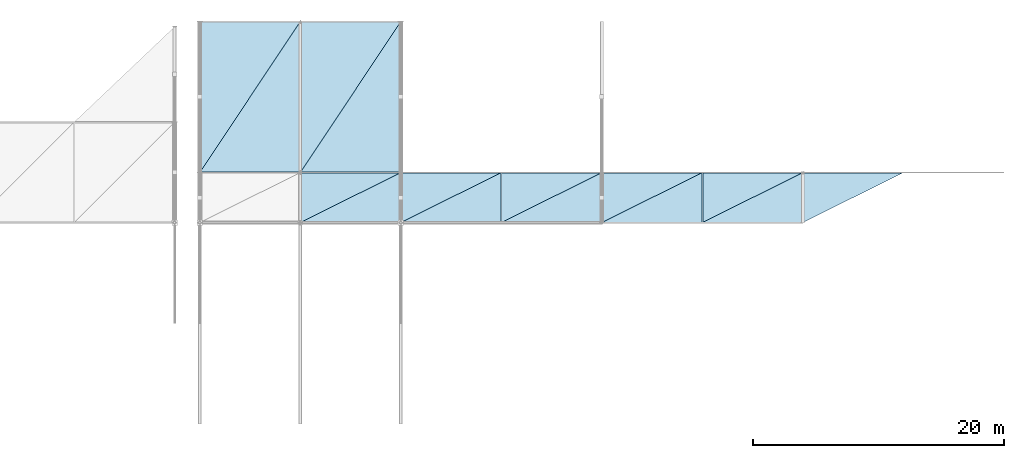
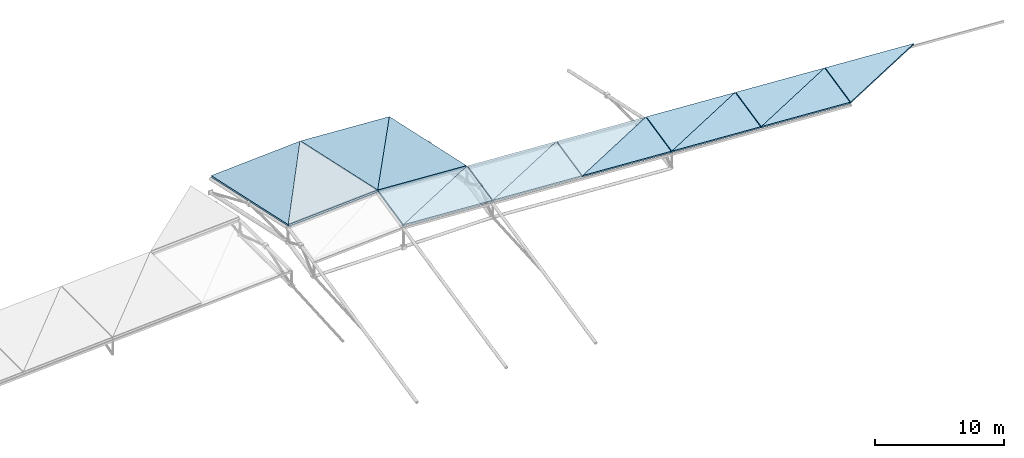
# One storey, part 17 of 27: 15 slabs.
"""IFC4 building model written with IfcOpenShell, lengths in metres."""

from ifc_helpers import new_model, si_unit, direction, frame, origin, place, context, subcontext, project, spatial, polyline, outline, extrude, material, layer, layer_set, type_object, element, save


model = new_model("IFC4")

# Units and contexts
model_context = context("Model", 3, precision=1e-05, world=origin(), true_north=direction((0.0, 1.0)))
body_context = subcontext(model_context, "Body", "Model", "MODEL_VIEW")
ifc_project = project(units=[si_unit("LENGTHUNIT", "METRE"), si_unit("AREAUNIT", "SQUARE_METRE"), si_unit("VOLUMEUNIT", "CUBIC_METRE"), si_unit("PLANEANGLEUNIT", "RADIAN"), si_unit("MASSUNIT", "GRAM", prefix="KILO")], contexts=[model_context])

# Site, building, storey
site_placement = place(None, origin())
site = spatial("IfcSite", under=ifc_project, at=site_placement, CompositionType="ELEMENT")
building_placement = place(site_placement, origin())
building = spatial("IfcBuilding", under=site, at=building_placement, Name="Drelvath Fold Interchange", CompositionType="ELEMENT")
storey_placement = place(building_placement, frame((0.0, 0.0, 19.800048828125)))
storey = spatial("IfcBuildingStorey", under=building, at=storey_placement, Name="L04", CompositionType="ELEMENT", Elevation=19.800048828125)

# Slabs
ifc_material = material(Name="Concrete f'c 35 MPa (5000 psi)", Category="concrete")
ifc_layer = layer(ifc_material, 0.169921875, Name="Concrete f'c 35 MPa (5000 psi)")
ifc_layer_set = layer_set([ifc_layer], Name="Concrete f'c 35 MPa (5000 psi)")
slab_type = type_object("IfcSlabType", Name="RF-SF1", PredefinedType="ROOF", material=ifc_layer_set)
slab_1_placement = place(storey_placement, frame((102.030029296875, 47.030029296875, 2.8720703125), z_axis=(-0.058692580417, 0.212620641103, 0.975370516256), x_axis=(0.998194407733, 0.0, 0.060066000121)))
element("IfcSlab", 1, at=slab_1_placement, inside=storey, type_object=slab_type, Name="Space frame canopy sloped roof facet 53", PredefinedType="ROOF", context=body_context, shape_type="SweptSolid", body=[
    extrude(outline(polyline([(0.0, 0.0), (7.954303635383277, -1.3877787807814457e-17), (7.797964859189566, 12.219338745374527), (0.0, 0.0)])), origin(), (0.0, 0.0, -1.0), 0.169921875),
])
slab_2_placement = place(storey_placement, frame((102.030029296875, 47.030029296875, 2.8720703125), z_axis=(-0.058722219103, 0.212639308762, 0.975364662756), x_axis=(0.547750887067, 0.823697954705, -0.146596879682)))
element("IfcSlab", 2, at=slab_2_placement, inside=storey, type_object=slab_type, Name="Space frame canopy sloped roof facet 54", PredefinedType="ROOF", context=body_context, shape_type="SweptSolid", body=[
    extrude(outline(polyline([(0.0, 0.0), (14.495533633480573, 6.661338147750939e-16), (10.21650100194295, 6.705300844428393), (0.0, 0.0)])), origin(), (0.0, 0.0, -1.0), 0.169921875),
])
slab_3_placement = place(storey_placement, frame((110.030029296875, 43.030029296875, 2.490966796875), z_axis=(0.058721650286, -0.212682798419, 0.975355214803), x_axis=(0.998192566997, 0.0, -0.060096582196)))
element("IfcSlab", 3, at=slab_3_placement, inside=storey, type_object=slab_type, Name="Space frame canopy sloped roof facet 63", PredefinedType="ROOF", context=body_context, shape_type="SweptSolid", body=[
    extrude(outline(polyline([(0.0, 0.0), (7.954318303667255, 1.3877787807814457e-17), (7.902687475359649, 4.032192750326046), (0.0, 0.0)])), origin(), (0.0, 0.0, -1.0), 0.169921875),
])
slab_4_placement = place(storey_placement, frame((110.030029296875, 43.030029296875, 2.490966796875), z_axis=(0.058692517339, -0.212625467126, 0.975369468016), x_axis=(0.894951398201, 0.44409094349, 0.042956126087)))
element("IfcSlab", 4, at=slab_4_placement, inside=storey, type_object=slab_type, Name="Space frame canopy sloped roof facet 64", PredefinedType="ROOF", context=body_context, shape_type="SweptSolid", body=[
    extrude(outline(polyline([(0.0, 0.0), (8.871924690222984, 3.0531133177191805e-16), (1.786586742580216, 3.6150978536638516), (0.0, 0.0)])), origin(), (0.0, 0.0, -1.0), 0.169921875),
])
slab_5_placement = place(storey_placement, frame((110.030029296875, 47.030029296875, 3.349853515625), z_axis=(0.058692331523, 0.212639683153, 0.975366380069), x_axis=(0.998194407733, 0.0, -0.060066000121)))
element("IfcSlab", 5, at=slab_5_placement, inside=storey, type_object=slab_type, Name="Space frame canopy sloped roof facet 65", PredefinedType="ROOF", context=body_context, shape_type="SweptSolid", body=[
    extrude(outline(polyline([(0.0, 0.0), (7.954303635383277, 1.3877787807814457e-17), (8.110657076127799, 12.219390563303916), (0.0, 0.0)])), origin(), (0.0, 0.0, -1.0), 0.169921875),
])
slab_6_placement = place(storey_placement, frame((110.030029296875, 47.030029296875, 3.349853515625), z_axis=(0.058722468123, 0.212620266742, 0.975368798921), x_axis=(0.541378324872, 0.814115010029, -0.210062514038)))
element("IfcSlab", 6, at=slab_6_placement, inside=storey, type_object=slab_type, Name="Space frame canopy sloped roof facet 66", PredefinedType="ROOF", context=body_context, shape_type="SweptSolid", body=[
    extrude(outline(polyline([(0.0, 0.0), (14.666160504545923, -7.771561172376096e-16), (10.267232700843946, 6.627262923249206), (0.0, 0.0)])), origin(), (0.0, 0.0, -1.0), 0.169921875),
])
slab_7_placement = place(storey_placement, frame((118.030029296875, 43.030029296875, 2.010009765625), z_axis=(0.058722405013, -0.212625092757, 0.975367750687), x_axis=(0.998192566997, 0.0, -0.060096582196)))
element("IfcSlab", 7, at=slab_7_placement, inside=storey, type_object=slab_type, Name="Space frame canopy sloped roof facet 75", PredefinedType="ROOF", context=body_context, shape_type="SweptSolid", body=[
    extrude(outline(polyline([(0.0, 0.0), (7.954318303667255, 0.0), (7.902702147376787, 4.03214092669616), (0.0, 0.0)])), origin(), (0.0, 0.0, -1.0), 0.169921875),
])
slab_8_placement = place(storey_placement, frame((118.030029296875, 43.030029296875, 2.010009765625), z_axis=(0.058722405013, -0.212625092757, 0.975367750687), x_axis=(0.894952455769, 0.444091468274, 0.042928658477)))
element("IfcSlab", 8, at=slab_8_placement, inside=storey, type_object=slab_type, Name="Space frame canopy sloped roof facet 76", PredefinedType="ROOF", context=body_context, shape_type="SweptSolid", body=[
    extrude(outline(polyline([(0.0, 0.0), (8.871914206240492, 3.469446951953614e-16), (1.786565218634904, 3.615108490749951), (0.0, 0.0)])), origin(), (0.0, 0.0, -1.0), 0.169921875),
])
slab_9_placement = place(storey_placement, frame((126.030029296875, 43.030029296875, 1.52783203125), z_axis=(0.058572965065, -0.212626962709, 0.975376328651), x_axis=(0.998201761375, 0.0, -0.05994367013)))
element("IfcSlab", 9, at=slab_9_placement, inside=storey, type_object=slab_type, Name="Space frame canopy sloped roof facet 87", PredefinedType="ROOF", context=body_context, shape_type="SweptSolid", body=[
    extrude(outline(polyline([(0.0, 0.0), (7.954245036911256, 0.0), (7.902760214763553, 4.032142605788738), (0.0, 0.0)])), origin(), (0.0, 0.0, -1.0), 0.169921875),
])
slab_10_placement = place(storey_placement, frame((126.030029296875, 43.030029296875, 1.52783203125), z_axis=(0.058602100168, -0.212684295127, 0.975362078647), x_axis=(0.894947161189, 0.444088841008, 0.043065995549)))
element("IfcSlab", 10, at=slab_10_placement, inside=storey, type_object=slab_type, Name="Space frame canopy sloped roof facet 88", PredefinedType="ROOF", context=body_context, shape_type="SweptSolid", body=[
    extrude(outline(polyline([(0.0, 0.0), (8.871966693212192, -4.3021142204224816e-16), (1.7866833385071759, 3.615108126476235), (0.0, 0.0)])), origin(), (0.0, 0.0, -1.0), 0.169921875),
])
slab_11_placement = place(storey_placement, frame((134.030029296875, 43.030029296875, 1.046875), z_axis=(0.058572965065, -0.212626962709, 0.975376328651), x_axis=(0.998201761375, 0.0, -0.05994367013)))
element("IfcSlab", 11, at=slab_11_placement, inside=storey, type_object=slab_type, Name="Space frame canopy sloped roof facet 99", PredefinedType="ROOF", context=body_context, shape_type="SweptSolid", body=[
    extrude(outline(polyline([(0.0, 0.0), (7.954245036911256, 0.0), (7.902760214763553, 4.032142605788738), (0.0, 0.0)])), origin(), (0.0, 0.0, -1.0), 0.169921875),
])
slab_12_placement = place(storey_placement, frame((134.030029296875, 43.030029296875, 1.046875), z_axis=(0.058602100168, -0.212684295127, 0.975362078647), x_axis=(0.894947161189, 0.444088841008, 0.043065995549)))
element("IfcSlab", 12, at=slab_12_placement, inside=storey, type_object=slab_type, Name="Space frame canopy sloped roof facet 100", PredefinedType="ROOF", context=body_context, shape_type="SweptSolid", body=[
    extrude(outline(polyline([(0.0, 0.0), (8.871966693212192, -4.3021142204224816e-16), (1.7866833385071759, 3.615108126476235), (0.0, 0.0)])), origin(), (0.0, 0.0, -1.0), 0.169921875),
])
slab_13_placement = place(storey_placement, frame((142.030029296875, 43.030029296875, 0.56591796875), z_axis=(0.058602100168, -0.212684295127, 0.975362078647), x_axis=(0.99819992436, 0.0, -0.059974252881)))
element("IfcSlab", 13, at=slab_13_placement, inside=storey, type_object=slab_type, Name="Space frame canopy sloped roof facet 111", PredefinedType="ROOF", context=body_context, shape_type="SweptSolid", body=[
    extrude(outline(polyline([(0.0, 0.0), (7.954259675329594, 0.0), (7.902733943911498, 4.03219409468536), (0.0, 0.0)])), origin(), (0.0, 0.0, -1.0), 0.169921875),
])
slab_14_placement = place(storey_placement, frame((142.030029296875, 43.030029296875, 0.56591796875), z_axis=(0.058602100168, -0.212684295127, 0.975362078647), x_axis=(0.894947161189, 0.444088841008, 0.043065995549)))
element("IfcSlab", 14, at=slab_14_placement, inside=storey, type_object=slab_type, Name="Space frame canopy sloped roof facet 112", PredefinedType="ROOF", context=body_context, shape_type="SweptSolid", body=[
    extrude(outline(polyline([(0.0, 0.0), (8.871966693212192, -4.3021142204224816e-16), (1.7866833385071759, 3.615108126476235), (0.0, 0.0)])), origin(), (0.0, 0.0, -1.0), 0.169921875),
])
slab_15_placement = place(storey_placement, frame((150.030029296875, 43.030029296875, 0.0849609375), z_axis=(0.058572965065, -0.212626962709, 0.975376328651), x_axis=(0.894947161189, 0.444088841008, 0.043065995549)))
element("IfcSlab", 15, at=slab_15_placement, inside=storey, type_object=slab_type, Name="Space frame canopy sloped roof facet 124", PredefinedType="ROOF", context=body_context, shape_type="SweptSolid", body=[
    extrude(outline(polyline([(0.0, 0.0), (8.871966693212192, 3.608224830031759e-16), (1.7866728243481063, 3.61505531065077), (0.0, 0.0)])), origin(), (0.0, 0.0, -1.0), 0.169921875),
])

save(model, "model.ifc")
